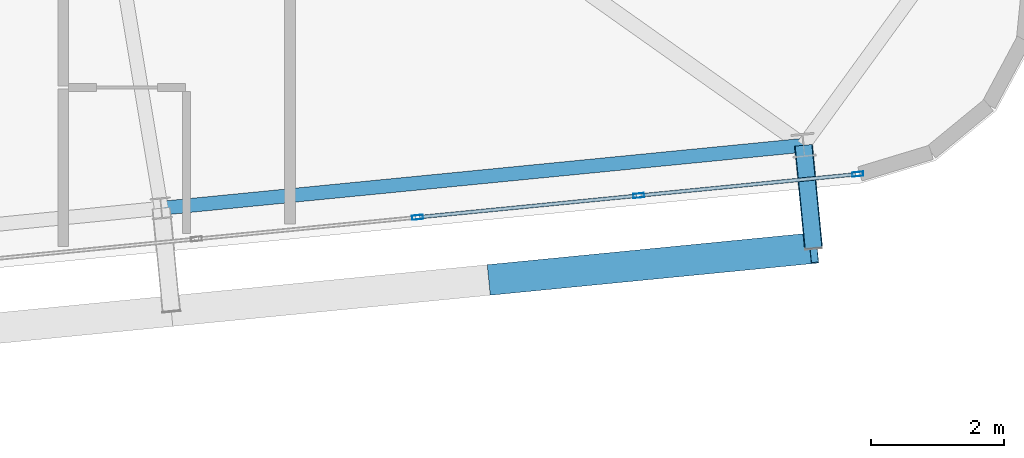
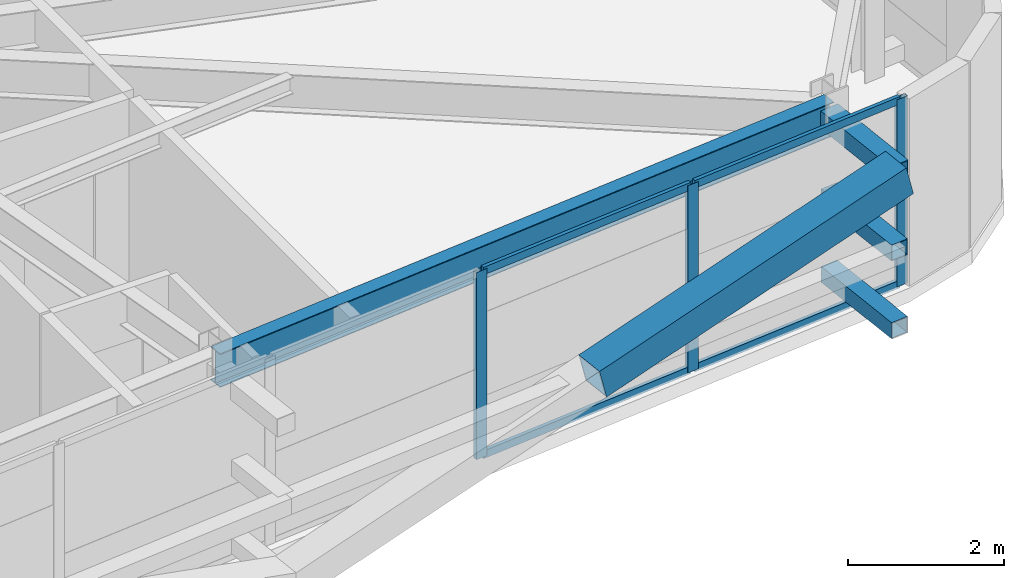
# One storey, part 20 of 53: 11 members, 1 beam, 1 element without a shape of its own.
"""IFC4 building model written with IfcOpenShell, lengths in metres."""

from ifc_helpers import new_model, si_unit, direction, frame, origin, origin_2d, place, context, subcontext, project, spatial, hollow_rectangle, i_section, extrude, source, transform, mapped, material, layer, layer_set, material_profile, profile_set, type_object, element, aggregate, save


model = new_model("IFC4")

# Units and contexts
model_context = context("Model", 3, precision=1e-05, world=origin(), true_north=direction((0.0, 1.0)))
body_context = subcontext(model_context, "Body", "Model", "MODEL_VIEW")
ifc_project = project(units=[si_unit("LENGTHUNIT", "METRE"), si_unit("AREAUNIT", "SQUARE_METRE"), si_unit("VOLUMEUNIT", "CUBIC_METRE"), si_unit("PLANEANGLEUNIT", "RADIAN"), si_unit("MASSUNIT", "GRAM", prefix="KILO")], contexts=[model_context])

# Site, building, storey
site_placement = place(None, origin())
site = spatial("IfcSite", under=ifc_project, at=site_placement, CompositionType="ELEMENT")
building_placement = place(site_placement, origin())
building = spatial("IfcBuilding", under=site, at=building_placement, Name="Taldren Reach Tower", CompositionType="ELEMENT")
storey_placement = place(building_placement, frame((0.0, 0.0, 80.85009765625)))
storey = spatial("IfcBuildingStorey", under=building, at=storey_placement, Name="L24", CompositionType="ELEMENT", Elevation=80.85009765625)

# Members
ifc_material_1 = material(Name="Steel Gr 450 (C450L0)", Category="steel")
ifc_material_profile_1 = material_profile(ifc_material_1, hollow_rectangle(XDim=0.27490234375, YDim=0.27490234375, WallThickness=0.00927734375, at=origin_2d()), Name="275x275x9.3SHS")
ifc_profile_set_1 = profile_set([ifc_material_profile_1], Name="Steel Gr 450 (C450L0)")
member_type_1 = type_object("IfcMemberType", Name="MB-TIE273", PredefinedType="STRUT", material=ifc_profile_set_1)
shared_shape_1 = source(origin(), body_context, "Body", "SweptSolid", [
    extrude(hollow_rectangle(XDim=0.27490234375, YDim=0.27490234375, WallThickness=0.00927734375, at=origin_2d()), origin(), (0.0, 0.0, 1.0), 1.5498046875),
])
member_1_placement = place(storey_placement, frame((63.103271484375, 4.64306640625, 2.64990234375), z_axis=(0.097507178627, -0.995234821595, 0.0), x_axis=(0.995234821595, 0.097507178627, 0.0)))
element("IfcMember", 1, at=member_1_placement, inside=storey, type_object=member_type_1, Name="Exoskeleton diaphragm tie strut B2-S6 L24", PredefinedType="STRUT", context=body_context, shape_type="MappedRepresentation", body=[
    mapped(shared_shape_1, transform((0.0, 0.0, 0.0), scale=1.0)),
])
ifc_material_2 = material(Name="Steel Gr 350 (C350L0)", Category="steel")
ifc_material_profile_2 = material_profile(ifc_material_2, hollow_rectangle(XDim=0.25, YDim=0.25, WallThickness=0.010009765625, at=origin_2d()), Name="250x250x10.0SHS")
ifc_profile_set_2 = profile_set([ifc_material_profile_2], Name="Steel Gr 350 (C350L0)")
member_type_2 = type_object("IfcMemberType", Name="MB-POST250", PredefinedType="POST", material=ifc_profile_set_2)
shared_shape_2 = source(origin(), body_context, "Body", "SweptSolid", [
    extrude(hollow_rectangle(XDim=0.25, YDim=0.25, WallThickness=0.010009765625, at=origin_2d()), origin(), (0.0, 0.0, 1.0), 1.5498046875),
])
for number, where, z_axis, x_axis, name in (
    (2, (63.103271484375, 4.64306640625, 0.219970703125), (0.097507178627, -0.995234821595, 0.0), (0.995234821595, 0.097507178627, 0.0), "Exoskeleton base diaphragm tie strut B2-S6 L24"),
    (3, (63.103271484375, 4.64306640625, 1.434814453125), (0.097507178627, -0.995234821595, 0.0), (0.995234821595, 0.097507178627, 0.0), "Exoskeleton mid-tier diaphragm tie B2-S6 L24"),
):
    element("IfcMember", number, at=place(storey_placement, frame(where, z_axis=z_axis, x_axis=x_axis)), inside=storey, type_object=member_type_2, Name=name, PredefinedType="POST", context=body_context, shape_type="MappedRepresentation", body=[
        mapped(shared_shape_2, transform((0.0, 0.0, 0.0), scale=1.0)),
    ])

# Beam
ifc_material_3 = material(Name="Steel Gr 350 (350PLUS)", Category="steel")
ifc_material_profile_3 = material_profile(ifc_material_3, i_section(OverallWidth=0.208984375, OverallDepth=0.528076171875, WebThickness=0.009521484375, FlangeThickness=0.01318359375, at=origin_2d()), Name="530UB82.0")
ifc_profile_set_3 = profile_set([ifc_material_profile_3], Name="Steel Gr 350 (350PLUS)")
beam_type = type_object("IfcBeamType", Name="SP-UB530B", PredefinedType="SPANDREL", material=ifc_profile_set_3)
shared_shape_3 = source(origin(), body_context, "Body", "SweptSolid", [
    extrude(i_section(OverallWidth=0.208984375, OverallDepth=0.528076171875, WebThickness=0.009521484375, FlangeThickness=0.01318359375, at=origin_2d()), origin(), (0.0, 0.0, 1.0), 9.679931640625),
])
beam_placement = place(storey_placement, frame((53.469482421875, 3.698486328125, 2.666015625), z_axis=(0.995227612658, 0.097580730699, 0.0), x_axis=(-0.097580730699, 0.995227612658, 0.0)))
element("IfcBeam", 4, at=beam_placement, inside=storey, type_object=beam_type, Name="Perimeter spandrel B2 S5-S6 L24", PredefinedType="SPANDREL", context=body_context, shape_type="MappedRepresentation", body=[
    mapped(shared_shape_3, transform((0.0, 0.0, 0.0), scale=1.0)),
])

# Member
ifc_material_profile_4 = material_profile(ifc_material_1, hollow_rectangle(XDim=0.4599609375, YDim=0.4599609375, WallThickness=0.01611328125, at=origin_2d()), Name="460x460x16.0SHS")
ifc_profile_set_4 = profile_set([ifc_material_profile_4], Name="Steel Gr 450 (C450L0)")
member_type_3 = type_object("IfcMemberType", Name="MB-EXO457", PredefinedType="BRACE", material=ifc_profile_set_4)
shared_shape_4 = source(origin(), body_context, "Body", "SweptSolid", [
    extrude(hollow_rectangle(XDim=0.4599609375, YDim=0.4599609375, WallThickness=0.01611328125, at=origin_2d()), origin(), (0.0, 0.0, 1.0), 4.990234375),
])
member_2_placement = place(storey_placement, frame((58.4375, 2.628173828125, 1.434814453125), z_axis=(0.965271056716, 0.094667992638, 0.243494883389), x_axis=(-0.097605711627, 0.995225162995, 0.0)))
element("IfcMember", 5, at=member_2_placement, inside=storey, type_object=member_type_3, Name="Exoskeleton Diagrid Brace B2-S5 L24", PredefinedType="BRACE", context=body_context, shape_type="MappedRepresentation", body=[
    mapped(shared_shape_4, transform((0.0, 0.0, 0.0), scale=1.0)),
])

# Curtain wall, members
ifc_material_4 = material(Name="Aluminium and Low-E Glass Unitised System", Category="aluminium")
ifc_layer = layer(ifc_material_4, 0.159912109375)
ifc_layer_set = layer_set([ifc_layer], Name="Aluminium and Low-E Glass Unitised System")
curtain_wall_type = type_object("IfcCurtainWallType", Name="CW-SYS-3", PredefinedType="NOTDEFINED", material=ifc_layer_set)
curtain_wall_placement = place(storey_placement, origin())
curtain_wall = element("IfcCurtainWall", 6, at=curtain_wall_placement, inside=storey, type_object=curtain_wall_type, Name="Unitised curtain wall CW-L24-S", PredefinedType="NOTDEFINED")
ifc_material_5 = material(Name="Anodised Aluminium 6063-T6", Category="aluminium")
ifc_material_profile_5 = material_profile(ifc_material_5, hollow_rectangle(XDim=0.06494140625, YDim=0.1650390625, WallThickness=0.00390625, at=origin_2d()), Name="ALU-165x65x4RHS")
ifc_profile_set_5 = profile_set([ifc_material_profile_5], Name="Anodised Aluminium 6063-T6")
member_type_4 = type_object("IfcMemberType", Name="CW-MUL-165", PredefinedType="MULLION", material=ifc_profile_set_5)
shared_shape_5 = source(origin(), body_context, "Body", "SweptSolid", [
    extrude(hollow_rectangle(XDim=0.06494140625, YDim=0.1650390625, WallThickness=0.00390625, at=origin_2d()), origin(), (0.0, 0.0, 1.0), 2.929931640625),
])
member_3_placement = place(storey_placement, frame((57.314208984375, 3.56298828125, 0.0), z_axis=(0.0, 0.0, 1.0), x_axis=(-0.097582999046, 0.995227390247, 0.0)))
member_3 = element("IfcMember", 7, at=member_3_placement, type_object=member_type_4, Name="CW-3 mullion 14", PredefinedType="MULLION", context=body_context, shape_type="MappedRepresentation", body=[
    mapped(shared_shape_5, transform((0.0, 0.0, 0.0), scale=1.0)),
])
member_4_placement = place(storey_placement, frame((60.631591796875, 3.888427734375, 0.0), z_axis=(0.0, 0.0, 1.0), x_axis=(-0.097582999046, 0.995227390247, 0.0)))
member_4 = element("IfcMember", 8, at=member_4_placement, type_object=member_type_4, Name="CW-3 mullion 15", PredefinedType="MULLION", context=body_context, shape_type="MappedRepresentation", body=[
    mapped(shared_shape_5, transform((0.0, 0.0, 0.0), scale=1.0)),
])
member_5_placement = place(storey_placement, frame((63.916748046875, 4.21044921875, 0.0), z_axis=(0.0, 0.0, 1.0), x_axis=(-0.097582999046, 0.995227390247, 0.0)))
member_5 = element("IfcMember", 9, at=member_5_placement, type_object=member_type_4, Name="CW-3 mullion 16", PredefinedType="MULLION", context=body_context, shape_type="MappedRepresentation", body=[
    mapped(shared_shape_5, transform((0.0, 0.0, 0.0), scale=1.0)),
])
ifc_material_profile_6 = material_profile(ifc_material_5, hollow_rectangle(XDim=0.054931640625, YDim=0.1201171875, WallThickness=0.0029296875, at=origin_2d()), Name="ALU-120x55x3RHS")
ifc_profile_set_6 = profile_set([ifc_material_profile_6], Name="Anodised Aluminium 6063-T6")
member_type_5 = type_object("IfcMemberType", Name="CW-TRN-135", PredefinedType="USERDEFINED", material=ifc_profile_set_6)
shared_shape_6 = source(origin(), body_context, "Body", "SweptSolid", [
    extrude(hollow_rectangle(XDim=0.054931640625, YDim=0.1201171875, WallThickness=0.0029296875, at=origin_2d()), origin(), (0.0, 0.0, 1.0), 3.23583984375),
])
member_6_placement = place(storey_placement, frame((60.6640625, 3.8916015625, 0.02734375), z_axis=(0.995230248826, 0.097553840629, 0.0), x_axis=(-0.097553840629, 0.995230248826, 0.0)))
member_6 = element("IfcMember", 10, at=member_6_placement, type_object=member_type_5, Name="CW-3 transom 15.1", ObjectType="TRANSOM", PredefinedType="USERDEFINED", context=body_context, shape_type="MappedRepresentation", body=[
    mapped(shared_shape_6, transform((0.0, 0.0, 0.0), scale=1.0)),
])
member_7_placement = place(storey_placement, frame((60.6640625, 3.8916015625, 2.90234375), z_axis=(0.995230248826, 0.097553840629, 0.0), x_axis=(-0.097553840629, 0.995230248826, 0.0)))
member_7 = element("IfcMember", 11, at=member_7_placement, type_object=member_type_5, Name="CW-3 transom 15.2", ObjectType="TRANSOM", PredefinedType="USERDEFINED", context=body_context, shape_type="MappedRepresentation", body=[
    mapped(shared_shape_6, transform((0.0, 0.0, 0.0), scale=1.0)),
])
shared_shape_7 = source(origin(), body_context, "Body", "SweptSolid", [
    extrude(hollow_rectangle(XDim=0.054931640625, YDim=0.1201171875, WallThickness=0.0029296875, at=origin_2d()), origin(), (0.0, 0.0, 1.0), 3.268310546875),
])
member_8_placement = place(storey_placement, frame((57.3466796875, 3.566162109375, 0.02734375), z_axis=(0.995222549564, 0.097632355496, 0.0), x_axis=(-0.097632355496, 0.995222549564, 0.0)))
member_8 = element("IfcMember", 12, at=member_8_placement, type_object=member_type_5, Name="CW-3 transom 14.1", ObjectType="TRANSOM", PredefinedType="USERDEFINED", context=body_context, shape_type="MappedRepresentation", body=[
    mapped(shared_shape_7, transform((0.0, 0.0, 0.0), scale=1.0)),
])
member_9_placement = place(storey_placement, frame((57.3466796875, 3.566162109375, 2.90234375), z_axis=(0.995222549564, 0.097632355496, 0.0), x_axis=(-0.097632355496, 0.995222549564, 0.0)))
member_9 = element("IfcMember", 13, at=member_9_placement, type_object=member_type_5, Name="CW-3 transom 14.2", ObjectType="TRANSOM", PredefinedType="USERDEFINED", context=body_context, shape_type="MappedRepresentation", body=[
    mapped(shared_shape_7, transform((0.0, 0.0, 0.0), scale=1.0)),
])
aggregate(curtain_wall, [member_3, member_4, member_5, member_8, member_9, member_6, member_7])

save(model, "model.ifc")
